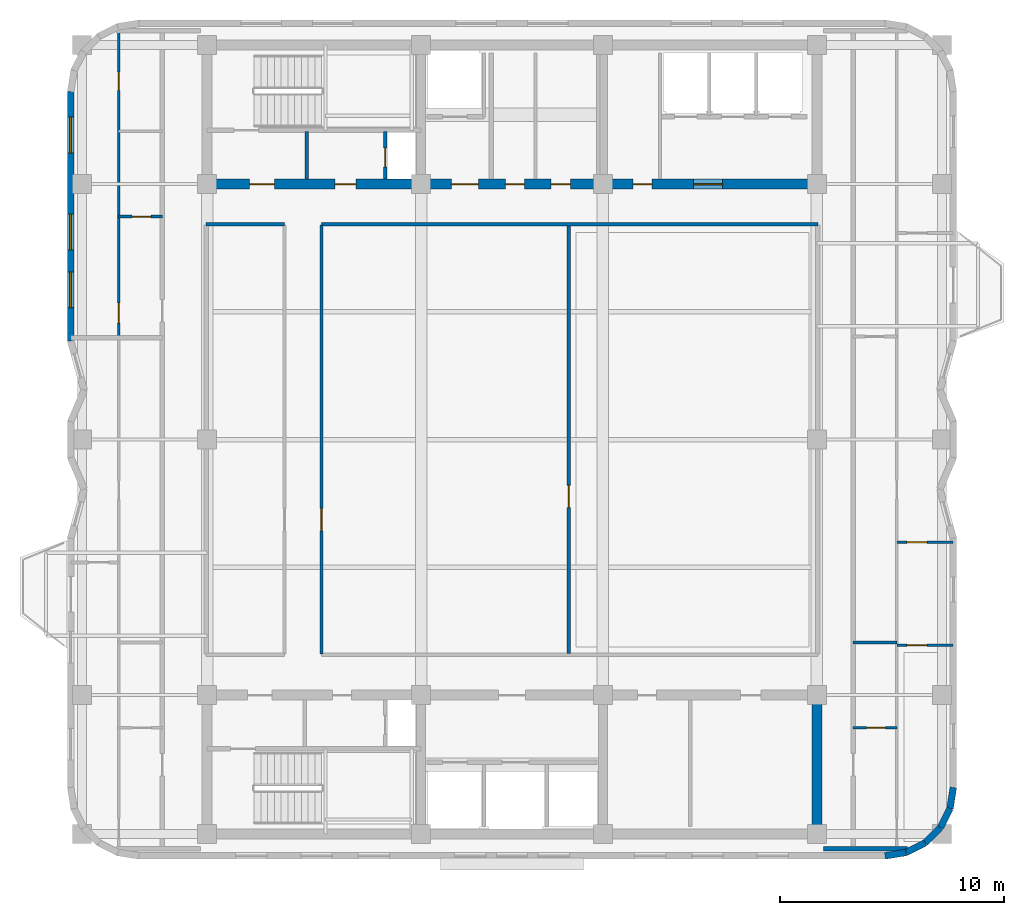
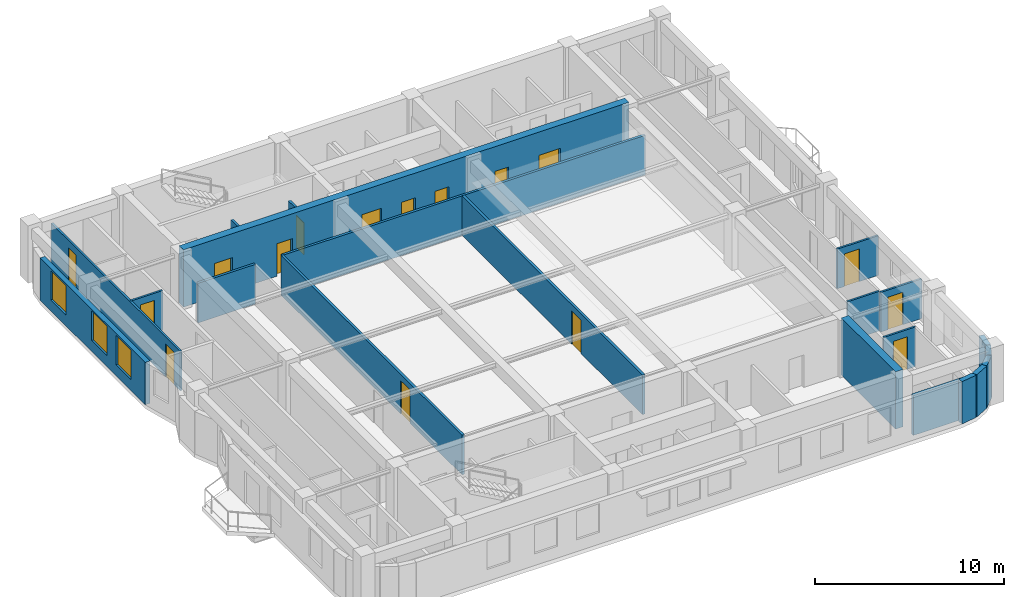
# One storey, part 4 of 8: 21 walls, 16 doors, 3 windows, 19 openings.
"""IFC4 building model written with IfcOpenShell, lengths in metres."""

from ifc_helpers import new_model, si_unit, direction, frame, frame_2d, origin, place, context, subcontext, project, spatial, rectangle, extrude, material, layer, layer_set, type_object, element, fill, save


model = new_model("IFC4")

# Units and contexts
model_context = context("Model", 3, precision=1e-05, world=origin(), true_north=direction((0.0, 1.0)))
body_context = subcontext(model_context, "Body", "Model", "MODEL_VIEW")
ifc_project = project(units=[si_unit("LENGTHUNIT", "METRE"), si_unit("AREAUNIT", "SQUARE_METRE"), si_unit("VOLUMEUNIT", "CUBIC_METRE"), si_unit("PLANEANGLEUNIT", "RADIAN"), si_unit("MASSUNIT", "GRAM", prefix="KILO")], contexts=[model_context])

# Site, building, storey
site_placement = place(None, origin())
site = spatial("IfcSite", under=ifc_project, at=site_placement, CompositionType="ELEMENT")
building_placement = place(site_placement, origin())
building = spatial("IfcBuilding", under=site, at=building_placement, Name="Svetorya Sky Lyceum", CompositionType="ELEMENT")
storey_placement = place(building_placement, frame((0.0, 0.0, 248.0)))
storey = spatial("IfcBuildingStorey", under=building, at=storey_placement, Name="L62", CompositionType="ELEMENT", Elevation=248.0)

# Wall
ifc_material_1 = material(Name="Concrete C50/60", Category="concrete")
ifc_layer_1 = layer(ifc_material_1, 0.449951171875)
ifc_layer_set_1 = layer_set([ifc_layer_1], Name="Concrete C50/60")
wall_type_1 = type_object("IfcWallType", Name="WL-CORE-450", PredefinedType="SHEAR", material=ifc_layer_set_1)
wall_1_placement = place(storey_placement, frame((52.800048828125, 10.824951171875, 0.0), z_axis=(0.0, 0.0, 1.0), x_axis=(0.0, 1.0, 0.0)))
element("IfcWall", 1, at=wall_1_placement, inside=storey, type_object=wall_type_1, Name="L62 SC East Core Shear Wall", PredefinedType="SHEAR", context=body_context, shape_type="SweptSolid", body=[
    extrude(rectangle(XDim=5.75, YDim=0.449951171875, at=frame_2d((2.875, 0.0))), origin(), (0.0, 0.0, 1.0), 3.699951171875),
])

# Wall, openings, doors
wall_2_placement = place(storey_placement, frame((52.800048828125, 39.60009765625, 0.0), z_axis=(0.0, 0.0, 1.0), x_axis=(-1.0, 0.0, 0.0)))
wall_2 = element("IfcWall", 2, at=wall_2_placement, inside=storey, type_object=wall_type_1, Name="L62 NC Inner Core Shear Wall", PredefinedType="SHEAR", context=body_context, shape_type="SweptSolid", body=[
    extrude(rectangle(XDim=27.199951171875, YDim=0.449951171875, at=frame_2d((13.60009765625, 0.0))), origin(), (0.0, 0.0, 1.0), 3.699951171875),
])
opening_1_placement = place(wall_2_placement, frame((24.199951171875, 0.0, 0.0)))
opening_1 = element("IfcOpeningElement", 3, at=opening_1_placement, cuts=wall_2, Name="Opening D-ST1", PredefinedType="OPENING", context=body_context, shape_type="SweptSolid", body=[
    extrude(rectangle(XDim=1.10009765625, YDim=2.14990234375, at=frame_2d((0.550048828125, 1.074951171875))), frame((0.0, 0.23486328125, 0.0), z_axis=(0.0, -1.0, 0.0), x_axis=(1.0, 0.0, 0.0)), (0.0, 0.0, 1.0), 0.469970703125),
])
opening_2_placement = place(wall_2_placement, frame((20.550048828125, 0.0, 0.0)))
opening_2 = element("IfcOpeningElement", 4, at=opening_2_placement, cuts=wall_2, Name="Opening D-CAC1", PredefinedType="OPENING", context=body_context, shape_type="SweptSolid", body=[
    extrude(rectangle(XDim=0.949951171875, YDim=2.10009765625, at=frame_2d((0.47509765625, 1.050048828125))), frame((0.0, 0.23486328125, 0.0), z_axis=(0.0, -1.0, 0.0), x_axis=(1.0, 0.0, 0.0)), (0.0, 0.0, 1.0), 0.469970703125),
])
opening_3_placement = place(wall_2_placement, frame((15.10009765625, 0.0, 0.0)))
opening_3 = element("IfcOpeningElement", 5, at=opening_3_placement, cuts=wall_2, Name="Opening D-FL1", PredefinedType="OPENING", context=body_context, shape_type="SweptSolid", body=[
    extrude(rectangle(XDim=1.199951171875, YDim=2.14990234375, at=frame_2d((0.60009765625, 1.074951171875))), frame((0.0, 0.23486328125, 0.0), z_axis=(0.0, -1.0, 0.0), x_axis=(1.0, 0.0, 0.0)), (0.0, 0.0, 1.0), 0.469970703125),
])
opening_4_placement = place(wall_2_placement, frame((13.050048828125, 0.0, 0.0)))
opening_4 = element("IfcOpeningElement", 6, at=opening_4_placement, cuts=wall_2, Name="Opening D-CWC1", PredefinedType="OPENING", context=body_context, shape_type="SweptSolid", body=[
    extrude(rectangle(XDim=0.85009765625, YDim=2.10009765625, at=frame_2d((0.425048828125, 1.050048828125))), frame((0.0, 0.23486328125, 0.0), z_axis=(0.0, -1.0, 0.0), x_axis=(1.0, 0.0, 0.0)), (0.0, 0.0, 1.0), 0.469970703125),
])
opening_5_placement = place(wall_2_placement, frame((11.0, 0.0, 0.0)))
opening_5 = element("IfcOpeningElement", 7, at=opening_5_placement, cuts=wall_2, Name="Opening D-CWC1", PredefinedType="OPENING", context=body_context, shape_type="SweptSolid", body=[
    extrude(rectangle(XDim=0.85009765625, YDim=2.10009765625, at=frame_2d((0.425048828125, 1.050048828125))), frame((0.0, 0.23486328125, 0.0), z_axis=(0.0, -1.0, 0.0), x_axis=(1.0, 0.0, 0.0)), (0.0, 0.0, 1.0), 0.469970703125),
])
opening_6_placement = place(wall_2_placement, frame((7.35009765625, 0.0, 0.0)))
opening_6 = element("IfcOpeningElement", 8, at=opening_6_placement, cuts=wall_2, Name="Opening D-CWC1", PredefinedType="OPENING", context=body_context, shape_type="SweptSolid", body=[
    extrude(rectangle(XDim=0.85009765625, YDim=2.10009765625, at=frame_2d((0.425048828125, 1.050048828125))), frame((0.0, 0.23486328125, 0.0), z_axis=(0.0, -1.0, 0.0), x_axis=(1.0, 0.0, 0.0)), (0.0, 0.0, 1.0), 0.469970703125),
])
opening_7_placement = place(wall_2_placement, frame((4.199951171875, 0.0, 0.0)))
opening_7 = element("IfcOpeningElement", 9, at=opening_7_placement, cuts=wall_2, Name="Opening D-LB1", PredefinedType="OPENING", context=body_context, shape_type="SweptSolid", body=[
    extrude(rectangle(XDim=1.300048828125, YDim=2.199951171875, at=frame_2d((0.64990234375, 1.10009765625))), frame((0.0, 0.23486328125, 0.0), z_axis=(0.0, -1.0, 0.0), x_axis=(1.0, 0.0, 0.0)), (0.0, 0.0, 1.0), 0.469970703125),
])
ifc_material_2 = material(Name="Fire-rated galvanized steel core accessible WC door", Category="steel")
door_type_1 = type_object("IfcDoorType", Name="DR-CACC-950", OperationType="SINGLE_SWING_LEFT", PredefinedType="DOOR", material=ifc_material_2)
door_1_placement = place(opening_2_placement, origin())
door_1 = element("IfcDoor", 10, at=door_1_placement, inside=storey, type_object=door_type_1, Name="L62 North Core Accessible WC Door", OperationType="SINGLE_SWING_RIGHT", OverallHeight=2.10009765625, OverallWidth=0.949951171875, PredefinedType="DOOR", context=body_context, shape_type="SweptSolid", body=[
    extrude(rectangle(XDim=0.949951171875, YDim=2.10009765625, at=frame_2d((0.47509765625, 1.050048828125))), frame((0.0, 0.02490234375, 0.0), z_axis=(0.0, -1.0, 0.0), x_axis=(1.0, 0.0, 0.0)), (0.0, 0.0, 1.0), 0.050048828125),
])
fill(opening_2, door_1)
ifc_material_3 = material(Name="Fire-rated galvanized steel core service closet door", Category="steel")
door_type_2 = type_object("IfcDoorType", Name="DR-CWET-850", OperationType="SINGLE_SWING_LEFT", PredefinedType="DOOR", material=ifc_material_3)
door_2_placement = place(opening_4_placement, origin())
door_2 = element("IfcDoor", 11, at=door_2_placement, inside=storey, type_object=door_type_2, Name="L62 Upper Linen Door", OperationType="SINGLE_SWING_LEFT", OverallHeight=2.10009765625, OverallWidth=0.85009765625, PredefinedType="DOOR", context=body_context, shape_type="SweptSolid", body=[
    extrude(rectangle(XDim=0.85009765625, YDim=2.10009765625, at=frame_2d((0.425048828125, 1.050048828125))), frame((0.0, 0.02490234375, 0.0), z_axis=(0.0, -1.0, 0.0), x_axis=(1.0, 0.0, 0.0)), (0.0, 0.0, 1.0), 0.050048828125),
])
fill(opening_4, door_2)
door_3_placement = place(opening_5_placement, origin())
door_3 = element("IfcDoor", 12, at=door_3_placement, inside=storey, type_object=door_type_2, Name="L62 Upper Laundry Door", OperationType="SINGLE_SWING_RIGHT", OverallHeight=2.10009765625, OverallWidth=0.85009765625, PredefinedType="DOOR", context=body_context, shape_type="SweptSolid", body=[
    extrude(rectangle(XDim=0.85009765625, YDim=2.10009765625, at=frame_2d((0.425048828125, 1.050048828125))), frame((0.0, 0.02490234375, 0.0), z_axis=(0.0, -1.0, 0.0), x_axis=(1.0, 0.0, 0.0)), (0.0, 0.0, 1.0), 0.050048828125),
])
fill(opening_5, door_3)
door_4_placement = place(opening_6_placement, origin())
door_4 = element("IfcDoor", 13, at=door_4_placement, inside=storey, type_object=door_type_2, Name="L62 High-Zone Utility Room Door", OperationType="SINGLE_SWING_LEFT", OverallHeight=2.10009765625, OverallWidth=0.85009765625, PredefinedType="DOOR", context=body_context, shape_type="SweptSolid", body=[
    extrude(rectangle(XDim=0.85009765625, YDim=2.10009765625, at=frame_2d((0.425048828125, 1.050048828125))), frame((0.0, 0.02490234375, 0.0), z_axis=(0.0, -1.0, 0.0), x_axis=(1.0, 0.0, 0.0)), (0.0, 0.0, 1.0), 0.050048828125),
])
fill(opening_6, door_4)
ifc_material_4 = material(Name="Powder-coated insulated galvanized stair fire door")
door_type_3 = type_object("IfcDoorType", Name="DR-FIRE-1100", OperationType="SINGLE_SWING_LEFT", PredefinedType="DOOR", material=ifc_material_4)
door_5_placement = place(opening_1_placement, origin())
door_5 = element("IfcDoor", 14, at=door_5_placement, inside=storey, type_object=door_type_3, Name="L62 North Stair Airlock Door", OperationType="SINGLE_SWING_LEFT", OverallHeight=2.14990234375, OverallWidth=1.10009765625, PredefinedType="DOOR", context=body_context, shape_type="SweptSolid", body=[
    extrude(rectangle(XDim=1.10009765625, YDim=2.14990234375, at=frame_2d((0.550048828125, 1.074951171875))), frame((0.0, 0.02490234375, 0.0), z_axis=(0.0, -1.0, 0.0), x_axis=(1.0, 0.0, 0.0)), (0.0, 0.0, 1.0), 0.050048828125),
])
fill(opening_1, door_5)
ifc_material_5 = material(Name="Powder-coated insulated galvanized fire door")
door_type_4 = type_object("IfcDoorType", Name="DR-FIRE-1200", OperationType="SINGLE_SWING_LEFT", PredefinedType="DOOR", material=ifc_material_5)
door_6_placement = place(opening_3_placement, origin())
door_6 = element("IfcDoor", 15, at=door_6_placement, inside=storey, type_object=door_type_4, Name="L62 North Firefighting Lift Lobby Door", OperationType="SINGLE_SWING_RIGHT", OverallHeight=2.14990234375, OverallWidth=1.199951171875, PredefinedType="DOOR", context=body_context, shape_type="SweptSolid", body=[
    extrude(rectangle(XDim=1.199951171875, YDim=2.14990234375, at=frame_2d((0.60009765625, 1.074951171875))), frame((0.0, 0.02490234375, 0.0), z_axis=(0.0, -1.0, 0.0), x_axis=(1.0, 0.0, 0.0)), (0.0, 0.0, 1.0), 0.050048828125),
])
fill(opening_3, door_6)
ifc_material_6 = material(Name="Glazed fire-rated aluminium lobby door", Category="aluminium")
door_type_5 = type_object("IfcDoorType", Name="DR-LOB-1300", OperationType="SINGLE_SWING_LEFT", PredefinedType="DOOR", material=ifc_material_6)
door_7_placement = place(opening_7_placement, origin())
door_7 = element("IfcDoor", 16, at=door_7_placement, inside=storey, type_object=door_type_5, Name="L62 North Passenger Lift Lobby Door", OperationType="SINGLE_SWING_LEFT", OverallHeight=2.199951171875, OverallWidth=1.300048828125, PredefinedType="DOOR", context=body_context, shape_type="SweptSolid", body=[
    extrude(rectangle(XDim=1.300048828125, YDim=2.199951171875, at=frame_2d((0.64990234375, 1.10009765625))), frame((0.0, 0.02490234375, 0.0), z_axis=(0.0, -1.0, 0.0), x_axis=(1.0, 0.0, 0.0)), (0.0, 0.0, 1.0), 0.050048828125),
])
fill(opening_7, door_7)

# Walls
ifc_material_7 = material(Name="Putilovo limestone rainscreen on autoclaved cellular masonry", Category="masonry")
ifc_layer_2 = layer(ifc_material_7, 0.300048828125)
ifc_layer_set_2 = layer_set([ifc_layer_2], Name="Putilovo limestone rainscreen on autoclaved cellular masonry")
wall_type_2 = type_object("IfcWallType", Name="WL-EXT-300", PredefinedType="SOLIDWALL", material=ifc_layer_set_2)
wall_3_placement = place(storey_placement, frame((55.840087890625, 9.6298828125, 0.0), z_axis=(0.0, 0.0, 1.0), x_axis=(0.987663181641, 0.156593229835, 0.0)))
element("IfcWall", 17, at=wall_3_placement, inside=storey, type_object=wall_type_2, Name="L62 Limestone Exterior Wall 7M", PredefinedType="SOLIDWALL", context=body_context, shape_type="SweptSolid", body=[
    extrude(rectangle(XDim=0.9541015625, YDim=0.300048828125, at=frame_2d((0.47705078125, 0.0))), origin(), (0.0, 0.0, 1.0), 2.72998046875),
])
for number, where, z_axis, x_axis, name in (
    (18, (56.782470703125, 9.779296875, 0.0), (0.0, 0.0, 1.0), (0.891076589373, 0.453852962833, 0.0), "L62 Limestone Exterior Wall 8M"),
    (19, (57.6328125, 10.21240234375, 0.0), (0.0, 0.0, 1.0), (0.707106781187, 0.707106781187, 0.0), "L62 Limestone Exterior Wall 9M"),
    (20, (58.3076171875, 10.88720703125, 0.0), (0.0, 0.0, 1.0), (0.453852962833, 0.891076589373, 0.0), "L62 Limestone Exterior Wall 10M"),
):
    element("IfcWall", number, at=place(storey_placement, frame(where, z_axis=z_axis, x_axis=x_axis)), inside=storey, type_object=wall_type_2, Name=name, PredefinedType="SOLIDWALL", context=body_context, shape_type="SweptSolid", body=[
        extrude(rectangle(XDim=0.954345703125, YDim=0.300048828125, at=frame_2d((0.47705078125, 0.0))), origin(), (0.0, 0.0, 1.0), 2.72998046875),
    ])
wall_4_placement = place(storey_placement, frame((58.74072265625, 11.737548828125, 0.0), z_axis=(0.0, 0.0, 1.0), x_axis=(0.156343617883, 0.987702725088, 0.0)))
element("IfcWall", 21, at=wall_4_placement, inside=storey, type_object=wall_type_2, Name="L62 Limestone Exterior Wall 11M", PredefinedType="SOLIDWALL", context=body_context, shape_type="SweptSolid", body=[
    extrude(rectangle(XDim=0.9541015625, YDim=0.300048828125, at=frame_2d((0.47705078125, 0.0))), origin(), (0.0, 0.0, 1.0), 2.72998046875),
])

# Wall, openings, windows
wall_5_placement = place(storey_placement, frame((19.510009765625, 43.719970703125, 0.0), z_axis=(0.0, 0.0, 1.0), x_axis=(0.0, -1.0, 0.0)))
wall_5 = element("IfcWall", 22, at=wall_5_placement, inside=storey, type_object=wall_type_2, Name="L62 Limestone Exterior Wall 30M", PredefinedType="SOLIDWALL", context=body_context, shape_type="SweptSolid", body=[
    extrude(rectangle(XDim=11.119873046875, YDim=0.300048828125, at=frame_2d((5.56005859375, 0.0))), origin(), (0.0, 0.0, 1.0), 2.72998046875),
])
opening_8_placement = place(wall_5_placement, frame((1.13671875, 0.0, 0.7099609375)))
opening_8 = element("IfcOpeningElement", 23, at=opening_8_placement, cuts=wall_5, Name="Opening W-R4", PredefinedType="OPENING", context=body_context, shape_type="SweptSolid", body=[
    extrude(rectangle(XDim=1.60009765625, YDim=1.89990234375, at=frame_2d((0.800048828125, 0.949951171875))), frame((0.0, 0.159912109375, 0.0), z_axis=(0.0, -1.0, 0.0), x_axis=(1.0, 0.0, 0.0)), (0.0, 0.0, 1.0), 0.320068359375),
])
opening_9_placement = place(wall_5_placement, frame((5.4599609375, 0.0, 0.7099609375)))
opening_9 = element("IfcOpeningElement", 24, at=opening_9_placement, cuts=wall_5, Name="Opening W-R4", PredefinedType="OPENING", context=body_context, shape_type="SweptSolid", body=[
    extrude(rectangle(XDim=1.60009765625, YDim=1.89990234375, at=frame_2d((0.800048828125, 0.949951171875))), frame((0.0, 0.159912109375, 0.0), z_axis=(0.0, -1.0, 0.0), x_axis=(1.0, 0.0, 0.0)), (0.0, 0.0, 1.0), 0.320068359375),
])
opening_10_placement = place(wall_5_placement, frame((8.033203125, 0.0, 0.7099609375)))
opening_10 = element("IfcOpeningElement", 25, at=opening_10_placement, cuts=wall_5, Name="Opening W-R4", PredefinedType="OPENING", context=body_context, shape_type="SweptSolid", body=[
    extrude(rectangle(XDim=1.60009765625, YDim=1.89990234375, at=frame_2d((0.800048828125, 0.949951171875))), frame((0.0, 0.159912109375, 0.0), z_axis=(0.0, -1.0, 0.0), x_axis=(1.0, 0.0, 0.0)), (0.0, 0.0, 1.0), 0.320068359375),
])
ifc_material_8 = material(Name="Thermally broken aluminium frame with triple low-E glazing", Category="aluminium")
window_type = type_object("IfcWindowType", Name="WN-RES-160", PartitioningType="DOUBLE_PANEL_VERTICAL", PredefinedType="WINDOW", material=ifc_material_8)
window_1_placement = place(opening_8_placement, origin())
window_1 = element("IfcWindow", 26, at=window_1_placement, inside=storey, type_object=window_type, Name="L62 Facade Window W-R4.30M.1", OverallHeight=1.89990234375, OverallWidth=1.60009765625, PartitioningType="SINGLE_PANEL", PredefinedType="WINDOW", context=body_context, shape_type="SweptSolid", body=[
    extrude(rectangle(XDim=1.60009765625, YDim=1.89990234375, at=frame_2d((0.800048828125, 0.949951171875))), frame((0.0, 0.030029296875, 0.0), z_axis=(0.0, -1.0, 0.0), x_axis=(1.0, 0.0, 0.0)), (0.0, 0.0, 1.0), 0.06005859375),
])
fill(opening_8, window_1)
window_2_placement = place(opening_9_placement, origin())
window_2 = element("IfcWindow", 27, at=window_2_placement, inside=storey, type_object=window_type, Name="L62 Facade Window W-R4.30M.2", OverallHeight=1.89990234375, OverallWidth=1.60009765625, PartitioningType="SINGLE_PANEL", PredefinedType="WINDOW", context=body_context, shape_type="SweptSolid", body=[
    extrude(rectangle(XDim=1.60009765625, YDim=1.89990234375, at=frame_2d((0.800048828125, 0.949951171875))), frame((0.0, 0.030029296875, 0.0), z_axis=(0.0, -1.0, 0.0), x_axis=(1.0, 0.0, 0.0)), (0.0, 0.0, 1.0), 0.06005859375),
])
fill(opening_9, window_2)
window_3_placement = place(opening_10_placement, origin())
window_3 = element("IfcWindow", 28, at=window_3_placement, inside=storey, type_object=window_type, Name="L62 Facade Window W-R4.30M.3", OverallHeight=1.89990234375, OverallWidth=1.60009765625, PartitioningType="SINGLE_PANEL", PredefinedType="WINDOW", context=body_context, shape_type="SweptSolid", body=[
    extrude(rectangle(XDim=1.60009765625, YDim=1.89990234375, at=frame_2d((0.800048828125, 0.949951171875))), frame((0.0, 0.030029296875, 0.0), z_axis=(0.0, -1.0, 0.0), x_axis=(1.0, 0.0, 0.0)), (0.0, 0.0, 1.0), 0.06005859375),
])
fill(opening_10, window_3)

# Wall, opening, door
ifc_material_9 = material(Name="Twin-stud galvanized framing with double fireboard", Category="gypsum")
ifc_layer_3 = layer(ifc_material_9, 0.1201171875)
ifc_layer_set_3 = layer_set([ifc_layer_3], Name="Twin-stud galvanized framing with double fireboard")
wall_type_3 = type_object("IfcWallType", Name="WL-PART-120", PredefinedType="PARTITIONING", material=ifc_layer_set_3)
wall_6_placement = place(storey_placement, frame((21.64990234375, 38.14990234375, 0.0), z_axis=(0.0, 0.0, 1.0), x_axis=(1.0, 0.0, 0.0)))
wall_6 = element("IfcWall", 29, at=wall_6_placement, inside=storey, type_object=wall_type_3, Name="L62 Interior Partition W2-WH1", PredefinedType="PARTITIONING", context=body_context, shape_type="SweptSolid", body=[
    extrude(rectangle(XDim=1.9501953125, YDim=0.1201171875, at=frame_2d((0.97509765625, 0.0))), origin(), (0.0, 0.0, 1.0), 2.56005859375),
])
opening_11_placement = place(wall_6_placement, frame((0.60009765625, 0.0, 0.0)))
opening_11 = element("IfcOpeningElement", 30, at=opening_11_placement, cuts=wall_6, Name="Opening D-BT1", PredefinedType="OPENING", context=body_context, shape_type="SweptSolid", body=[
    extrude(rectangle(XDim=0.85009765625, YDim=2.10009765625, at=frame_2d((0.425048828125, 1.050048828125))), frame((0.0, 0.070068359375, 0.0), z_axis=(0.0, -1.0, 0.0), x_axis=(1.0, 0.0, 0.0)), (0.0, 0.0, 1.0), 0.14013671875),
])
ifc_material_10 = material(Name="Moisture-resistant laminate bathroom door")
door_type_6 = type_object("IfcDoorType", Name="DR-WET-850", OperationType="SINGLE_SWING_LEFT", PredefinedType="DOOR", material=ifc_material_10)
door_8_placement = place(opening_11_placement, origin())
door_8 = element("IfcDoor", 31, at=door_8_placement, inside=storey, type_object=door_type_6, Name="Apartment W2 Bathroom Door", OperationType="SINGLE_SWING_RIGHT", OverallHeight=2.10009765625, OverallWidth=0.85009765625, PredefinedType="DOOR", context=body_context, shape_type="SweptSolid", body=[
    extrude(rectangle(XDim=0.85009765625, YDim=2.10009765625, at=frame_2d((0.425048828125, 1.050048828125))), frame((0.0, 0.02490234375, 0.0), z_axis=(0.0, -1.0, 0.0), x_axis=(1.0, 0.0, 0.0)), (0.0, 0.0, 1.0), 0.050048828125),
])
fill(opening_11, door_8)

# Wall, openings, doors
wall_7_placement = place(storey_placement, frame((21.64990234375, 32.7900390625, 0.0), z_axis=(0.0, 0.0, 1.0), x_axis=(0.0, 1.0, 0.0)))
wall_7 = element("IfcWall", 32, at=wall_7_placement, inside=storey, type_object=wall_type_3, Name="L62 Interior Partition W2-WV", PredefinedType="PARTITIONING", context=body_context, shape_type="SweptSolid", body=[
    extrude(rectangle(XDim=13.619873046875, YDim=0.1201171875, at=frame_2d((6.81005859375, 0.0))), origin(), (0.0, 0.0, 1.0), 2.56005859375),
])
opening_12_placement = place(wall_7_placement, frame((0.610107421875, 0.0, 0.0)))
opening_12 = element("IfcOpeningElement", 33, at=opening_12_placement, cuts=wall_7, Name="Opening D-RM1", PredefinedType="OPENING", context=body_context, shape_type="SweptSolid", body=[
    extrude(rectangle(XDim=0.89990234375, YDim=2.10009765625, at=frame_2d((0.449951171875, 1.050048828125))), frame((0.0, 0.070068359375, 0.0), z_axis=(0.0, -1.0, 0.0), x_axis=(1.0, 0.0, 0.0)), (0.0, 0.0, 1.0), 0.14013671875),
])
opening_13_placement = place(wall_7_placement, frame((10.985107421875, 0.0, 0.0)))
opening_13 = element("IfcOpeningElement", 34, at=opening_13_placement, cuts=wall_7, Name="Opening D-BT2", PredefinedType="OPENING", context=body_context, shape_type="SweptSolid", body=[
    extrude(rectangle(XDim=0.820068359375, YDim=2.080078125, at=frame_2d((0.41015625, 1.0400390625))), frame((0.0, 0.070068359375, 0.0), z_axis=(0.0, -1.0, 0.0), x_axis=(1.0, 0.0, 0.0)), (0.0, 0.0, 1.0), 0.14013671875),
])
ifc_material_11 = material(Name="Lacquered birch veneer internal door")
door_type_7 = type_object("IfcDoorType", Name="DR-INT-900", OperationType="SINGLE_SWING_LEFT", PredefinedType="DOOR", material=ifc_material_11)
door_9_placement = place(opening_12_placement, origin())
door_9 = element("IfcDoor", 35, at=door_9_placement, inside=storey, type_object=door_type_7, Name="Apartment W2 Living Door", OperationType="SINGLE_SWING_LEFT", OverallHeight=2.10009765625, OverallWidth=0.89990234375, PredefinedType="DOOR", context=body_context, shape_type="SweptSolid", body=[
    extrude(rectangle(XDim=0.89990234375, YDim=2.10009765625, at=frame_2d((0.449951171875, 1.050048828125))), frame((0.0, 0.02490234375, 0.0), z_axis=(0.0, -1.0, 0.0), x_axis=(1.0, 0.0, 0.0)), (0.0, 0.0, 1.0), 0.050048828125),
])
fill(opening_12, door_9)
ifc_material_12 = material(Name="Compact moisture-resistant laminate closet door")
door_type_8 = type_object("IfcDoorType", Name="DR-WET-820", OperationType="SINGLE_SWING_LEFT", PredefinedType="DOOR", material=ifc_material_12)
door_10_placement = place(opening_13_placement, origin())
door_10 = element("IfcDoor", 36, at=door_10_placement, inside=storey, type_object=door_type_8, Name="Apartment W2 Study Door", OperationType="SINGLE_SWING_RIGHT", OverallHeight=2.080078125, OverallWidth=0.820068359375, PredefinedType="DOOR", context=body_context, shape_type="SweptSolid", body=[
    extrude(rectangle(XDim=0.820068359375, YDim=2.080078125, at=frame_2d((0.41015625, 1.0400390625))), frame((0.0, 0.02490234375, 0.0), z_axis=(0.0, -1.0, 0.0), x_axis=(1.0, 0.0, 0.0)), (0.0, 0.0, 1.0), 0.050048828125),
])
fill(opening_13, door_10)

# Wall, opening, door
wall_8_placement = place(storey_placement, frame((54.419921875, 15.35009765625, 0.0), z_axis=(0.0, 0.0, 1.0), x_axis=(1.0, 0.0, 0.0)))
wall_8 = element("IfcWall", 37, at=wall_8_placement, inside=storey, type_object=wall_type_3, Name="L62 Interior Partition E1-WH1", PredefinedType="PARTITIONING", context=body_context, shape_type="SweptSolid", body=[
    extrude(rectangle(XDim=1.9501953125, YDim=0.1201171875, at=frame_2d((0.97509765625, 0.0))), origin(), (0.0, 0.0, 1.0), 2.56005859375),
])
opening_14_placement = place(wall_8_placement, frame((0.60009765625, 0.0, 0.0)))
opening_14 = element("IfcOpeningElement", 38, at=opening_14_placement, cuts=wall_8, Name="Opening D-BT1", PredefinedType="OPENING", context=body_context, shape_type="SweptSolid", body=[
    extrude(rectangle(XDim=0.85009765625, YDim=2.10009765625, at=frame_2d((0.425048828125, 1.050048828125))), frame((0.0, 0.070068359375, 0.0), z_axis=(0.0, -1.0, 0.0), x_axis=(1.0, 0.0, 0.0)), (0.0, 0.0, 1.0), 0.14013671875),
])
door_11_placement = place(opening_14_placement, origin())
door_11 = element("IfcDoor", 39, at=door_11_placement, inside=storey, type_object=door_type_6, Name="Apartment E1 Bathroom Door", OperationType="SINGLE_SWING_RIGHT", OverallHeight=2.10009765625, OverallWidth=0.85009765625, PredefinedType="DOOR", context=body_context, shape_type="SweptSolid", body=[
    extrude(rectangle(XDim=0.85009765625, YDim=2.10009765625, at=frame_2d((0.425048828125, 1.050048828125))), frame((0.0, 0.02490234375, 0.0), z_axis=(0.0, -1.0, 0.0), x_axis=(1.0, 0.0, 0.0)), (0.0, 0.0, 1.0), 0.050048828125),
])
fill(opening_14, door_11)

# Wall
wall_9_placement = place(storey_placement, frame((54.419921875, 19.14990234375, 0.0), z_axis=(0.0, 0.0, 1.0), x_axis=(1.0, 0.0, 0.0)))
element("IfcWall", 40, at=wall_9_placement, inside=storey, type_object=wall_type_3, Name="L62 Interior Partition E1-WH2", PredefinedType="PARTITIONING", context=body_context, shape_type="SweptSolid", body=[
    extrude(rectangle(XDim=1.9501953125, YDim=0.1201171875, at=frame_2d((0.97509765625, 0.0))), origin(), (0.0, 0.0, 1.0), 2.56005859375),
])

# Wall, opening, door
wall_10_placement = place(storey_placement, frame((56.3701171875, 19.02001953125, 0.0), z_axis=(0.0, 0.0, 1.0), x_axis=(1.0, 0.0, 0.0)))
wall_10 = element("IfcWall", 41, at=wall_10_placement, inside=storey, type_object=wall_type_3, Name="L62 Interior Partition E1-WL1", PredefinedType="PARTITIONING", context=body_context, shape_type="SweptSolid", body=[
    extrude(rectangle(XDim=2.5, YDim=0.1201171875, at=frame_2d((1.25, 0.0))), origin(), (0.0, 0.0, 1.0), 2.56005859375),
])
opening_15_placement = place(wall_10_placement, frame((0.449951171875, 0.0, 0.0)))
opening_15 = element("IfcOpeningElement", 42, at=opening_15_placement, cuts=wall_10, Name="Opening D-RM1", PredefinedType="OPENING", context=body_context, shape_type="SweptSolid", body=[
    extrude(rectangle(XDim=0.89990234375, YDim=2.10009765625, at=frame_2d((0.449951171875, 1.050048828125))), frame((0.0, 0.070068359375, 0.0), z_axis=(0.0, -1.0, 0.0), x_axis=(1.0, 0.0, 0.0)), (0.0, 0.0, 1.0), 0.14013671875),
])
door_12_placement = place(opening_15_placement, origin())
door_12 = element("IfcDoor", 43, at=door_12_placement, inside=storey, type_object=door_type_7, Name="Apartment E1 Master Bedroom Door", OperationType="SINGLE_SWING_RIGHT", OverallHeight=2.10009765625, OverallWidth=0.89990234375, PredefinedType="DOOR", context=body_context, shape_type="SweptSolid", body=[
    extrude(rectangle(XDim=0.89990234375, YDim=2.10009765625, at=frame_2d((0.449951171875, 1.050048828125))), frame((0.0, 0.02490234375, 0.0), z_axis=(0.0, -1.0, 0.0), x_axis=(1.0, 0.0, 0.0)), (0.0, 0.0, 1.0), 0.050048828125),
])
fill(opening_15, door_12)

wall_11_placement = place(storey_placement, frame((56.3701171875, 23.6201171875, 0.0), z_axis=(0.0, 0.0, 1.0), x_axis=(1.0, 0.0, 0.0)))
wall_11 = element("IfcWall", 44, at=wall_11_placement, inside=storey, type_object=wall_type_3, Name="L62 Interior Partition E1-WL2", PredefinedType="PARTITIONING", context=body_context, shape_type="SweptSolid", body=[
    extrude(rectangle(XDim=2.5, YDim=0.1201171875, at=frame_2d((1.25, 0.0))), origin(), (0.0, 0.0, 1.0), 2.56005859375),
])
opening_16_placement = place(wall_11_placement, frame((0.449951171875, 0.0, 0.0)))
opening_16 = element("IfcOpeningElement", 45, at=opening_16_placement, cuts=wall_11, Name="Opening D-RM1", PredefinedType="OPENING", context=body_context, shape_type="SweptSolid", body=[
    extrude(rectangle(XDim=0.89990234375, YDim=2.10009765625, at=frame_2d((0.449951171875, 1.050048828125))), frame((0.0, 0.070068359375, 0.0), z_axis=(0.0, -1.0, 0.0), x_axis=(1.0, 0.0, 0.0)), (0.0, 0.0, 1.0), 0.14013671875),
])
door_13_placement = place(opening_16_placement, origin())
door_13 = element("IfcDoor", 46, at=door_13_placement, inside=storey, type_object=door_type_7, Name="Apartment E1 Bedroom 2 Door", OperationType="SINGLE_SWING_LEFT", OverallHeight=2.10009765625, OverallWidth=0.89990234375, PredefinedType="DOOR", context=body_context, shape_type="SweptSolid", body=[
    extrude(rectangle(XDim=0.89990234375, YDim=2.10009765625, at=frame_2d((0.449951171875, 1.050048828125))), frame((0.0, 0.02490234375, 0.0), z_axis=(0.0, -1.0, 0.0), x_axis=(1.0, 0.0, 0.0)), (0.0, 0.0, 1.0), 0.050048828125),
])
fill(opening_16, door_13)

ifc_material_13 = material(Name="Autoclaved cellular masonry blockwork with acoustic render", Category="masonry")
ifc_layer_4 = layer(ifc_material_13, 0.14990234375)
ifc_layer_set_4 = layer_set([ifc_layer_4], Name="Autoclaved cellular masonry blockwork with acoustic render")
wall_type_4 = type_object("IfcWallType", Name="WL-PART-150", PredefinedType="PARTITIONING", material=ifc_layer_set_4)
wall_12_placement = place(storey_placement, frame((33.550048828125, 39.820068359375, 0.0), z_axis=(0.0, 0.0, 1.0), x_axis=(0.0, 1.0, 0.0)))
wall_12 = element("IfcWall", 47, at=wall_12_placement, inside=storey, type_object=wall_type_4, Name="L62 Interior Partition NC-RSRW", PredefinedType="PARTITIONING", context=body_context, shape_type="SweptSolid", body=[
    extrude(rectangle(XDim=2.1298828125, YDim=0.14990234375, at=frame_2d((1.06494140625, 0.0))), origin(), (0.0, 0.0, 1.0), 2.56005859375),
])
opening_17_placement = place(wall_12_placement, frame((0.550048828125, 0.0, 0.0)))
opening_17 = element("IfcOpeningElement", 48, at=opening_17_placement, cuts=wall_12, Name="Opening D-SH1", PredefinedType="OPENING", context=body_context, shape_type="SweptSolid", body=[
    extrude(rectangle(XDim=0.85009765625, YDim=2.050048828125, at=frame_2d((0.425048828125, 1.02490234375))), frame((0.0, 0.0849609375, 0.0), z_axis=(0.0, -1.0, 0.0), x_axis=(1.0, 0.0, 0.0)), (0.0, 0.0, 1.0), 0.169921875),
])
ifc_material_14 = material(Name="Insulated galvanized riser inspection fire door")
door_type_9 = type_object("IfcDoorType", Name="DR-SHFT-850", OperationType="SINGLE_SWING_LEFT", PredefinedType="TRAPDOOR", material=ifc_material_14)
door_14_placement = place(opening_17_placement, origin())
door_14 = element("IfcDoor", 49, at=door_14_placement, inside=storey, type_object=door_type_9, Name="L62 North Riser Access Door", OperationType="SINGLE_SWING_LEFT", OverallHeight=2.050048828125, OverallWidth=0.85009765625, PredefinedType="TRAPDOOR", context=body_context, shape_type="SweptSolid", body=[
    extrude(rectangle(XDim=0.85009765625, YDim=2.050048828125, at=frame_2d((0.425048828125, 1.02490234375))), frame((0.0, 0.02490234375, 0.0), z_axis=(0.0, -1.0, 0.0), x_axis=(1.0, 0.0, 0.0)), (0.0, 0.0, 1.0), 0.050048828125),
])
fill(opening_17, door_14)

# Walls
wall_13_placement = place(storey_placement, frame((30.050048828125, 39.820068359375, 0.0), z_axis=(0.0, 0.0, 1.0), x_axis=(0.0, 1.0, 0.0)))
element("IfcWall", 50, at=wall_13_placement, inside=storey, type_object=wall_type_4, Name="L62 Interior Partition NC-NWD1", PredefinedType="PARTITIONING", context=body_context, shape_type="SweptSolid", body=[
    extrude(rectangle(XDim=2.1298828125, YDim=0.14990234375, at=frame_2d((1.06494140625, 0.0))), origin(), (0.0, 0.0, 1.0), 2.56005859375),
])
wall_14_placement = place(storey_placement, frame((25.550048828125, 37.800048828125, 0.0), z_axis=(0.0, 0.0, 1.0), x_axis=(1.0, 0.0, 0.0)))
element("IfcWall", 51, at=wall_14_placement, inside=storey, type_object=wall_type_4, Name="L62 Interior Partition OFF-CN-W", PredefinedType="PARTITIONING", context=body_context, shape_type="SweptSolid", body=[
    extrude(rectangle(XDim=3.5, YDim=0.14990234375, at=frame_2d((1.75, 0.0))), origin(), (0.0, 0.0, 1.0), 2.56005859375),
])
wall_15_placement = place(storey_placement, frame((30.699951171875, 37.800048828125, 0.0), z_axis=(0.0, 0.0, 1.0), x_axis=(1.0, 0.0, 0.0)))
element("IfcWall", 52, at=wall_15_placement, inside=storey, type_object=wall_type_4, Name="L62 Interior Partition OFF-CN-E", PredefinedType="PARTITIONING", context=body_context, shape_type="SweptSolid", body=[
    extrude(rectangle(XDim=22.150146484375, YDim=0.14990234375, at=frame_2d((11.0751953125, 0.0))), origin(), (0.0, 0.0, 1.0), 2.56005859375),
])

# Wall, opening, door
wall_16_placement = place(storey_placement, frame((41.735107421875, 18.659912109375, 0.0), z_axis=(0.0, 0.0, 1.0), x_axis=(0.0, 1.0, 0.0)))
wall_16 = element("IfcWall", 53, at=wall_16_placement, inside=storey, type_object=wall_type_4, Name="L62 Interior Partition OFF-VEMID", PredefinedType="PARTITIONING", context=body_context, shape_type="SweptSolid", body=[
    extrude(rectangle(XDim=19.080078125, YDim=0.14990234375, at=frame_2d((9.5400390625, 0.0))), origin(), (0.0, 0.0, 1.0), 2.56005859375),
])
opening_18_placement = place(wall_16_placement, frame((6.5, 0.0, 0.0)))
opening_18 = element("IfcOpeningElement", 54, at=opening_18_placement, cuts=wall_16, Name="Opening D-RM2", PredefinedType="OPENING", context=body_context, shape_type="SweptSolid", body=[
    extrude(rectangle(XDim=1.0, YDim=2.14990234375, at=frame_2d((0.5, 1.074951171875))), frame((0.0, 0.0849609375, 0.0), z_axis=(0.0, -1.0, 0.0), x_axis=(1.0, 0.0, 0.0)), (0.0, 0.0, 1.0), 0.169921875),
])
ifc_material_15 = material(Name="Solid-core oak acoustic room door")
door_type_10 = type_object("IfcDoorType", Name="DR-INT-1000", OperationType="SINGLE_SWING_LEFT", PredefinedType="DOOR", material=ifc_material_15)
door_15_placement = place(opening_18_placement, origin())
door_15 = element("IfcDoor", 55, at=door_15_placement, inside=storey, type_object=door_type_10, Name="L62 Recreation Door", OperationType="SINGLE_SWING_LEFT", OverallHeight=2.14990234375, OverallWidth=1.0, PredefinedType="DOOR", context=body_context, shape_type="SweptSolid", body=[
    extrude(rectangle(XDim=1.0, YDim=2.14990234375, at=frame_2d((0.5, 1.074951171875))), frame((0.0, 0.02490234375, 0.0), z_axis=(0.0, -1.0, 0.0), x_axis=(1.0, 0.0, 0.0)), (0.0, 0.0, 1.0), 0.050048828125),
])
fill(opening_18, door_15)

wall_17_placement = place(storey_placement, frame((30.699951171875, 18.6298828125, 0.0), z_axis=(0.0, 0.0, 1.0), x_axis=(0.0, 1.0, 0.0)))
wall_17 = element("IfcWall", 56, at=wall_17_placement, inside=storey, type_object=wall_type_4, Name="L62 Interior Partition OFF-VE", PredefinedType="PARTITIONING", context=body_context, shape_type="SweptSolid", body=[
    extrude(rectangle(XDim=19.14013671875, YDim=0.14990234375, at=frame_2d((9.570068359375, 0.0))), origin(), (0.0, 0.0, 1.0), 2.56005859375),
])
opening_19_placement = place(wall_17_placement, frame((5.5, 0.0, 0.0)))
opening_19 = element("IfcOpeningElement", 57, at=opening_19_placement, cuts=wall_17, Name="Opening D-RM2", PredefinedType="OPENING", context=body_context, shape_type="SweptSolid", body=[
    extrude(rectangle(XDim=1.0, YDim=2.14990234375, at=frame_2d((0.5, 1.074951171875))), frame((0.0, 0.0849609375, 0.0), z_axis=(0.0, -1.0, 0.0), x_axis=(1.0, 0.0, 0.0)), (0.0, 0.0, 1.0), 0.169921875),
])
door_16_placement = place(opening_19_placement, origin())
door_16 = element("IfcDoor", 58, at=door_16_placement, inside=storey, type_object=door_type_10, Name="L62 Seminar Door", OperationType="SINGLE_SWING_RIGHT", OverallHeight=2.14990234375, OverallWidth=1.0, PredefinedType="DOOR", context=body_context, shape_type="SweptSolid", body=[
    extrude(rectangle(XDim=1.0, YDim=2.14990234375, at=frame_2d((0.5, 1.074951171875))), frame((0.0, 0.02490234375, 0.0), z_axis=(0.0, -1.0, 0.0), x_axis=(1.0, 0.0, 0.0)), (0.0, 0.0, 1.0), 0.050048828125),
])
fill(opening_19, door_16)

# Wall
ifc_material_16 = material(Name="Autoclaved cellular masonry blockwork with gypsum plaster", Category="masonry")
ifc_layer_5 = layer(ifc_material_16, 0.199951171875)
ifc_layer_set_5 = layer_set([ifc_layer_5], Name="Autoclaved cellular masonry blockwork with gypsum plaster")
wall_type_5 = type_object("IfcWallType", Name="WL-PART-200", PredefinedType="PARTITIONING", material=ifc_layer_set_5)
wall_18_placement = place(storey_placement, frame((53.10009765625, 9.949951171875, 0.0), z_axis=(0.0, 0.0, 1.0), x_axis=(1.0, 0.0, 0.0)))
element("IfcWall", 59, at=wall_18_placement, inside=storey, type_object=wall_type_5, Name="L62 Interior Partition E-CAP-S", PredefinedType="PARTITIONING", context=body_context, shape_type="SweptSolid", body=[
    extrude(rectangle(XDim=3.75390625, YDim=0.199951171875, at=frame_2d((1.876953125, 0.0))), origin(), (0.0, 0.0, 1.0), 2.56005859375),
])

save(model, "model.ifc")
